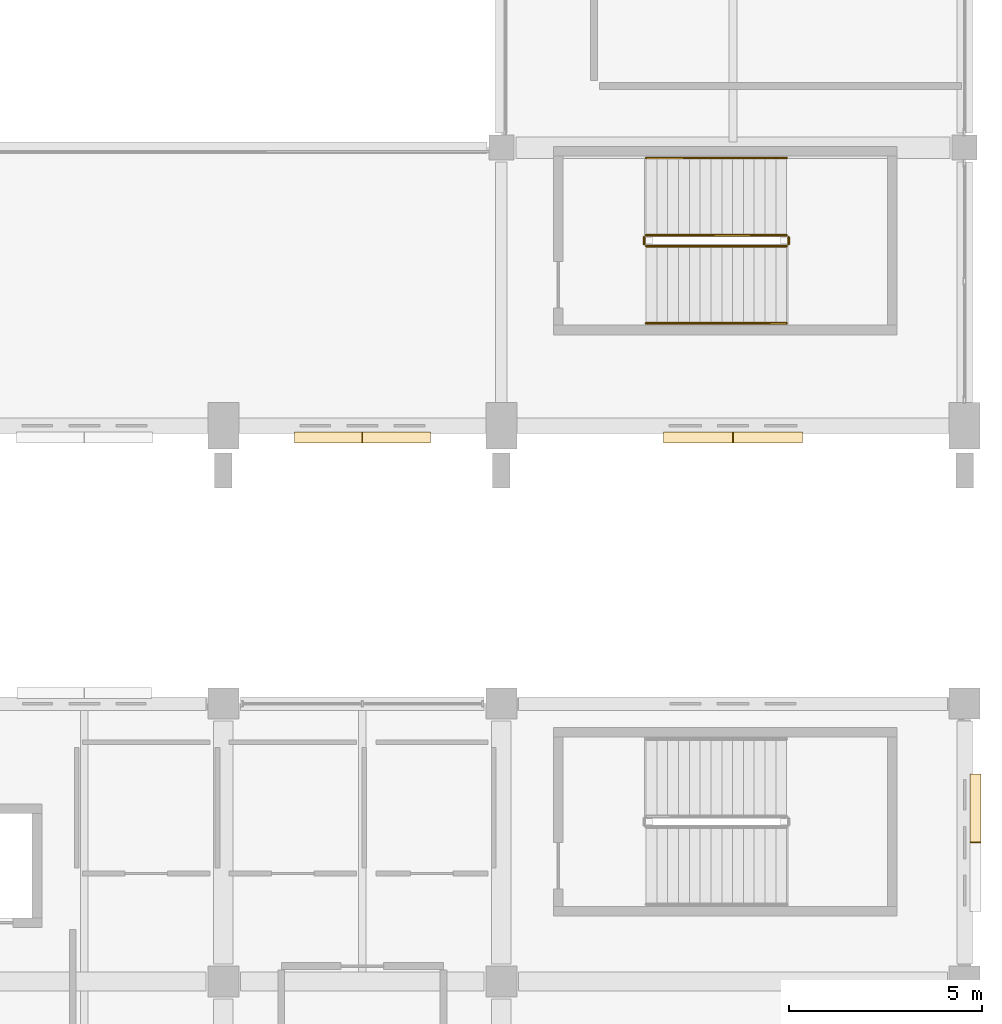
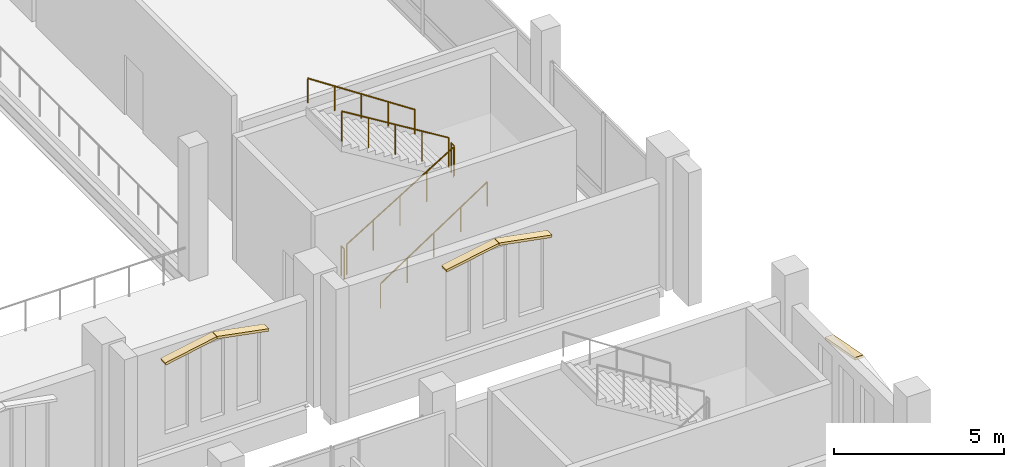
# One storey, part 210 of 220: 6 railings, 5 coverings.
"""IFC4 building model written with IfcOpenShell, lengths in metres."""

from ifc_helpers import new_model, si_unit, direction, frame, origin, origin_2d, place, context, subcontext, project, spatial, polyline, circle, outline, extrude, material, layer, layer_set, type_object, element, save


model = new_model("IFC4")

# Units and contexts
model_context = context("Model", 3, precision=1e-05, world=origin(), true_north=direction((0.0, 1.0)))
body_context = subcontext(model_context, "Body", "Model", "MODEL_VIEW")
ifc_project = project(units=[si_unit("LENGTHUNIT", "METRE"), si_unit("AREAUNIT", "SQUARE_METRE"), si_unit("VOLUMEUNIT", "CUBIC_METRE"), si_unit("PLANEANGLEUNIT", "RADIAN"), si_unit("MASSUNIT", "GRAM", prefix="KILO")], contexts=[model_context])

# Site, building, storey
site_placement = place(None, origin())
site = spatial("IfcSite", under=ifc_project, at=site_placement, CompositionType="ELEMENT")
building_placement = place(site_placement, origin())
building = spatial("IfcBuilding", under=site, at=building_placement, Name="Cendralis Lancet Convention Centre", CompositionType="ELEMENT")
storey_placement = place(building_placement, frame((0.0, 0.0, 5.39990234375)))
storey = spatial("IfcBuildingStorey", under=building, at=storey_placement, Name="L01", CompositionType="ELEMENT", Elevation=5.39990234375)

# Coverings
ifc_material_1 = material(Name="Warm buff sandstone chevron cassette", Category="masonry")
ifc_layer = layer(ifc_material_1, 0.06005859375, Name="Warm buff sandstone chevron cassette")
ifc_layer_set = layer_set([ifc_layer], Name="Warm buff sandstone chevron cassette")
covering_type = type_object("IfcCoveringType", Name="ARC-CV-CLAD1", PredefinedType="CLADDING", material=ifc_layer_set)
for number, where, z_axis, x_axis, name in (
    (1, (194.9599609375, 42.75, 3.27001953125), (0.187993527685, 0.0, 0.982170267086), (0.0, 1.0, 0.0), "L01 Gothic Pointed Lancet Hood-Mould #0113L"),
    (2, (193.18994140625, 42.75, 3.60498046875), (-0.187993527685, 0.0, 0.982170267086), (0.0, 1.0, 0.0), "L01 Gothic Pointed Lancet Hood-Mould #0114R"),
):
    element("IfcCovering", number, at=place(storey_placement, frame(where, z_axis=z_axis, x_axis=x_axis)), inside=storey, type_object=covering_type, Name=name, PredefinedType="CLADDING", context=body_context, shape_type="SweptSolid", body=[
        extrude(outline(polyline([(0.0, 0.0), (0.284912109375, 0.0), (0.284912109375, 1.7817684556784807), (0.0, 1.7817684556784807), (0.0, 0.0)])), origin(), (0.0, 0.0, -1.0), 0.090087890625),
    ])
for number, where, z_axis, x_axis, name in (
    (3, (204.60009765625, 42.75, 3.27001953125), (0.183932374671, 0.0, 0.982938900211), (0.0, 1.0, 0.0), "L01 Gothic Pointed Lancet Hood-Mould #0115L"),
    (4, (202.7900390625, 42.75, 3.60498046875), (-0.183932374671, 0.0, 0.982938900211), (0.0, 1.0, 0.0), "L01 Gothic Pointed Lancet Hood-Mould #0116R"),
):
    element("IfcCovering", number, at=place(storey_placement, frame(where, z_axis=z_axis, x_axis=x_axis)), inside=storey, type_object=covering_type, Name=name, PredefinedType="CLADDING", context=body_context, shape_type="SweptSolid", body=[
        extrude(outline(polyline([(0.0, 0.0), (0.284912109375, 0.0), (0.284912109375, 1.8211091880847667), (0.0, 1.8211091880847667), (0.0, 0.0)])), origin(), (0.0, 0.0, -1.0), 0.090087890625),
    ])
covering_placement = place(storey_placement, frame((209.219970703125, 34.179931640625, 3.27001953125), z_axis=(0.0, 0.185941175824, 0.98256087808), x_axis=(-1.0, 0.0, 0.0)))
element("IfcCovering", 5, at=covering_placement, inside=storey, type_object=covering_type, Name="L01 Gothic Pointed Lancet Hood-Mould #0341L", PredefinedType="CLADDING", context=body_context, shape_type="SweptSolid", body=[
    extrude(outline(polyline([(0.0, 0.0), (0.284912109375, 0.0), (0.284912109375, 1.801434975417472), (0.0, 1.801434975417472), (0.0, 0.0)])), origin(), (0.0, 0.0, -1.0), 0.090087890625),
])

# Railings
ifc_material_2 = material(Name="Steel S355", Category="steel")
railing_type_1 = type_object("IfcRailingType", Name="ARC-RL-CGD", PredefinedType="GUARDRAIL", material=ifc_material_2)
railing_1_placement = place(storey_placement, frame((200.550048828125, 47.85009765625, 0.171630859375)))
element("IfcRailing", 6, at=railing_1_placement, inside=storey, type_object=railing_type_1, Name="L01 ST-09 stair guard 1", PredefinedType="GUARDRAIL", context=body_context, shape_type="SweptSolid", body=[
    extrude(circle(Radius=0.02392578125, at=origin_2d()), frame((0.0, 0.0, 1.076171875), z_axis=(0.852850264322, 0.0, 0.5221555579), x_axis=(0.0, 1.0, 0.0)), (0.0, 0.0, 1.0), 4.267822265625),
    extrude(circle(Radius=0.02099609375, at=origin_2d()), origin(), (0.0, 0.0, 1.0), 1.052001953125),
    extrude(circle(Radius=0.02099609375, at=origin_2d()), frame((0.909912109375, 0.0, 0.55712890625)), (0.0, 0.0, 1.0), 1.052001953125),
    extrude(circle(Radius=0.02099609375, at=origin_2d()), frame((1.81982421875, 0.0, 1.1142578125)), (0.0, 0.0, 1.0), 1.052001953125),
    extrude(circle(Radius=0.02099609375, at=origin_2d()), frame((2.72998046875, 0.0, 1.67138671875)), (0.0, 0.0, 1.0), 1.052001953125),
    extrude(circle(Radius=0.02099609375, at=origin_2d()), frame((3.639892578125, 0.0, 2.228515625)), (0.0, 0.0, 1.0), 1.052001953125),
])
railing_2_placement = place(storey_placement, frame((204.239990234375, 47.89990234375, 2.400146484375)))
element("IfcRailing", 7, at=railing_2_placement, inside=storey, type_object=railing_type_1, Name="L01 ST-09 stair guard 2", PredefinedType="GUARDRAIL", context=body_context, shape_type="SweptSolid", body=[
    extrude(circle(Radius=0.02392578125, at=origin_2d()), frame((0.0, 0.0, 1.076171875), z_axis=(0.0, 1.0, 0.0), x_axis=(-1.0, 0.0, 0.0)), (0.0, 0.0, 1.0), 0.18017578125),
    extrude(circle(Radius=0.02099609375, at=origin_2d()), origin(), (0.0, 0.0, 1.0), 1.052001953125),
    extrude(circle(Radius=0.02099609375, at=origin_2d()), frame((0.0, 0.18017578125, 0.0)), (0.0, 0.0, 1.0), 1.052001953125),
])
railing_3_placement = place(storey_placement, frame((204.18994140625, 48.1298828125, 2.571533203125)))
element("IfcRailing", 8, at=railing_3_placement, inside=storey, type_object=railing_type_1, Name="L01 ST-09 stair guard 3", PredefinedType="GUARDRAIL", context=body_context, shape_type="SweptSolid", body=[
    extrude(circle(Radius=0.02392578125, at=origin_2d()), frame((0.0, 0.0, 1.076171875), z_axis=(-0.852850264322, 0.0, 0.5221555579), x_axis=(0.0, -1.0, 0.0)), (0.0, 0.0, 1.0), 4.267822265625),
    extrude(circle(Radius=0.02099609375, at=origin_2d()), origin(), (0.0, 0.0, 1.0), 1.052001953125),
    extrude(circle(Radius=0.02099609375, at=origin_2d()), frame((-0.909912109375, 0.0, 0.55712890625)), (0.0, 0.0, 1.0), 1.052001953125),
    extrude(circle(Radius=0.02099609375, at=origin_2d()), frame((-1.81982421875, 0.0, 1.1142578125)), (0.0, 0.0, 1.0), 1.052001953125),
    extrude(circle(Radius=0.02099609375, at=origin_2d()), frame((-2.72998046875, 0.0, 1.67138671875)), (0.0, 0.0, 1.0), 1.052001953125),
    extrude(circle(Radius=0.02099609375, at=origin_2d()), frame((-3.639892578125, 0.0, 2.228515625)), (0.0, 0.0, 1.0), 1.052001953125),
])
railing_4_placement = place(storey_placement, frame((200.5, 47.89990234375, 0.0)))
element("IfcRailing", 9, at=railing_4_placement, inside=storey, type_object=railing_type_1, Name="L01 ST-09 stair guard 4", PredefinedType="GUARDRAIL", context=body_context, shape_type="SweptSolid", body=[
    extrude(circle(Radius=0.02392578125, at=origin_2d()), frame((0.0, 0.0, 1.076171875), z_axis=(0.0, 1.0, 0.0), x_axis=(-1.0, 0.0, 0.0)), (0.0, 0.0, 1.0), 0.18017578125),
    extrude(circle(Radius=0.02099609375, at=origin_2d()), origin(), (0.0, 0.0, 1.0), 1.052001953125),
    extrude(circle(Radius=0.02099609375, at=origin_2d()), frame((0.0, 0.18017578125, 0.0)), (0.0, 0.0, 1.0), 1.052001953125),
])
railing_type_2 = type_object("IfcRailingType", Name="ARC-RL-CHR", PredefinedType="HANDRAIL", material=ifc_material_2)
railing_5_placement = place(storey_placement, frame((200.550048828125, 45.85009765625, 0.171630859375)))
element("IfcRailing", 10, at=railing_5_placement, inside=storey, type_object=railing_type_2, Name="L01 ST-09 stair handrail 1", PredefinedType="HANDRAIL", context=body_context, shape_type="SweptSolid", body=[
    extrude(circle(Radius=0.02392578125, at=origin_2d()), frame((0.0, 0.0, 0.8759765625), z_axis=(0.834865213223, 0.0, 0.550454426587), x_axis=(0.0, 1.0, 0.0)), (0.0, 0.0, 1.0), 4.35986328125),
    extrude(circle(Radius=0.02099609375, at=origin_2d()), origin(), (0.0, 0.0, 1.0), 0.851806640625),
    extrude(circle(Radius=0.02099609375, at=origin_2d()), frame((0.909912109375, 0.0, 0.60009765625)), (0.0, 0.0, 1.0), 0.851806640625),
    extrude(circle(Radius=0.02099609375, at=origin_2d()), frame((1.81982421875, 0.0, 1.199951171875)), (0.0, 0.0, 1.0), 0.851806640625),
    extrude(circle(Radius=0.02099609375, at=origin_2d()), frame((2.72998046875, 0.0, 1.7998046875)), (0.0, 0.0, 1.0), 0.851806640625),
    extrude(circle(Radius=0.02099609375, at=origin_2d()), frame((3.639892578125, 0.0, 2.39990234375)), (0.0, 0.0, 1.0), 0.851806640625),
])
railing_6_placement = place(storey_placement, frame((204.18994140625, 50.1298828125, 2.571533203125)))
element("IfcRailing", 11, at=railing_6_placement, inside=storey, type_object=railing_type_2, Name="L01 ST-09 stair handrail 2", PredefinedType="HANDRAIL", context=body_context, shape_type="SweptSolid", body=[
    extrude(circle(Radius=0.02392578125, at=origin_2d()), frame((0.0, 0.0, 0.8759765625), z_axis=(-0.834865213223, 0.0, 0.550454426587), x_axis=(0.0, -1.0, 0.0)), (0.0, 0.0, 1.0), 4.35986328125),
    extrude(circle(Radius=0.02099609375, at=origin_2d()), origin(), (0.0, 0.0, 1.0), 0.851806640625),
    extrude(circle(Radius=0.02099609375, at=origin_2d()), frame((-0.909912109375, 0.0, 0.60009765625)), (0.0, 0.0, 1.0), 0.851806640625),
    extrude(circle(Radius=0.02099609375, at=origin_2d()), frame((-1.81982421875, 0.0, 1.199951171875)), (0.0, 0.0, 1.0), 0.851806640625),
    extrude(circle(Radius=0.02099609375, at=origin_2d()), frame((-2.72998046875, 0.0, 1.7998046875)), (0.0, 0.0, 1.0), 0.851806640625),
    extrude(circle(Radius=0.02099609375, at=origin_2d()), frame((-3.639892578125, 0.0, 2.39990234375)), (0.0, 0.0, 1.0), 0.851806640625),
])

save(model, "model.ifc")
